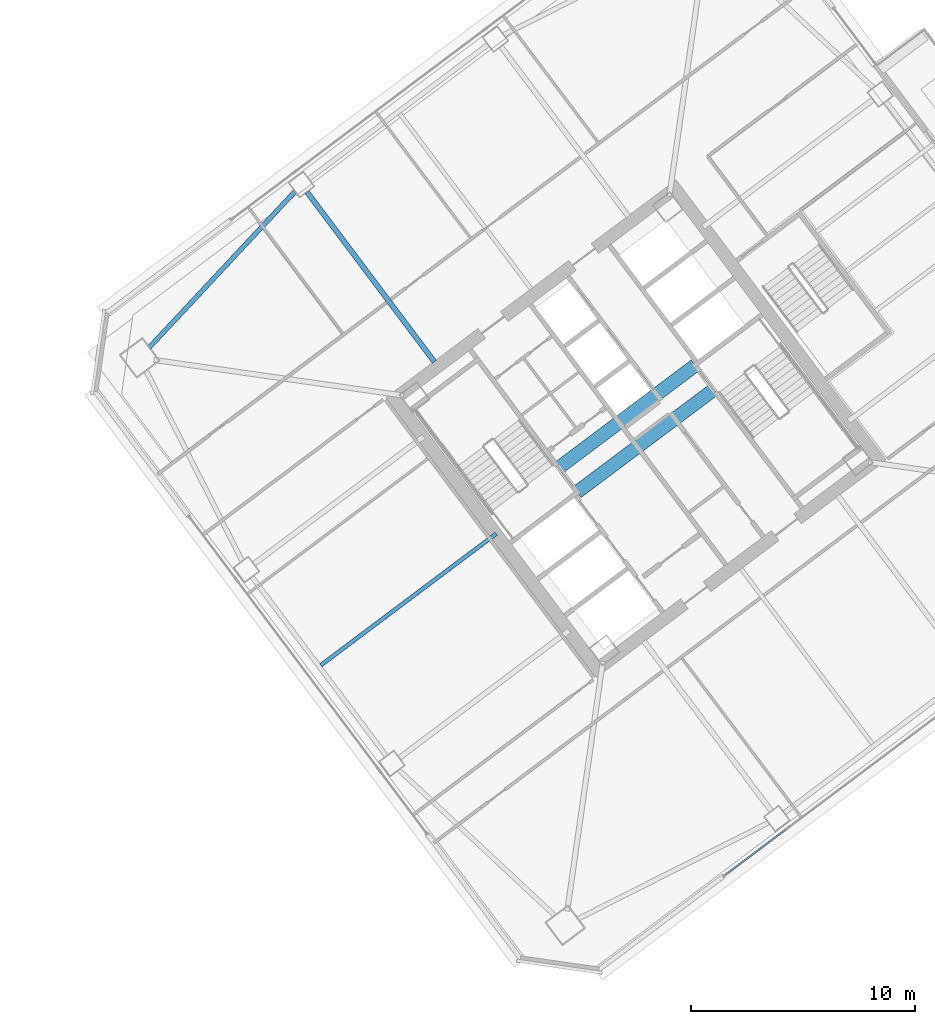
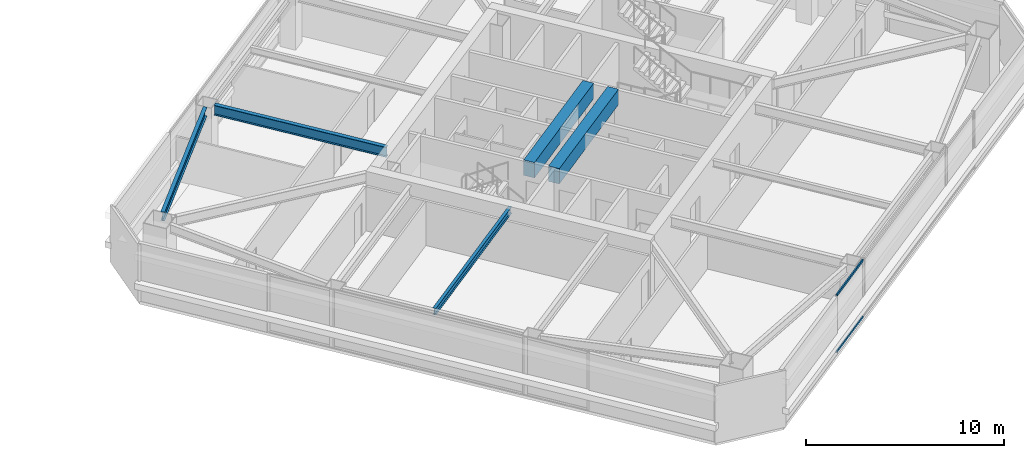
# One storey, part 21 of 41: 5 beams, 2 members, 1 element without a shape of its own.
"""IFC4 building model written with IfcOpenShell, lengths in metres."""

from ifc_helpers import new_model, si_unit, direction, frame, origin, origin_2d, place, context, subcontext, project, spatial, rectangle, hollow_rectangle, i_section, extrude, material, material_profile, profile_set, type_object, element, aggregate, save


model = new_model("IFC4")

# Units and contexts
model_context = context("Model", 3, precision=1e-05, world=origin(), true_north=direction((0.0, 1.0)))
body_context = subcontext(model_context, "Body", "Model", "MODEL_VIEW")
ifc_project = project(units=[si_unit("LENGTHUNIT", "METRE"), si_unit("AREAUNIT", "SQUARE_METRE"), si_unit("VOLUMEUNIT", "CUBIC_METRE"), si_unit("PLANEANGLEUNIT", "RADIAN"), si_unit("MASSUNIT", "GRAM", prefix="KILO")], contexts=[model_context])

# Site, building, storey
site_placement = place(None, origin())
site = spatial("IfcSite", under=ifc_project, at=site_placement, CompositionType="ELEMENT")
building_placement = place(site_placement, origin())
building = spatial("IfcBuilding", under=site, at=building_placement, Name="Tashvorn Skyway Center", CompositionType="ELEMENT")
storey_placement = place(building_placement, frame((0.0, 0.0, 146.35009765625)))
storey = spatial("IfcBuildingStorey", under=building, at=storey_placement, Name="L39", CompositionType="ELEMENT", Elevation=146.35009765625)

# Beams
ifc_material_1 = material(Name="Steel ASTM A992 Grade 50", Category="steel")
ifc_material_profile_1 = material_profile(ifc_material_1, i_section(OverallWidth=0.22998046875, OverallDepth=0.616943359375, WebThickness=0.01318359375, FlangeThickness=0.022216796875, at=origin_2d()), Name="W24X94")
ifc_profile_set_1 = profile_set([ifc_material_profile_1], Name="Steel ASTM A992 Grade 50")
beam_type_1 = type_object("IfcBeamType", Name="BM-BEAM-W24X94", PredefinedType="BEAM", material=ifc_profile_set_1)
beam_1_placement = place(storey_placement, frame((99.342041015625, 42.5439453125, 3.0615234375), z_axis=(0.599991732772, -0.800006200354, 0.0), x_axis=(0.800006200354, 0.599991732772, 0.0)))
element("IfcBeam", 1, at=beam_1_placement, inside=storey, type_object=beam_type_1, Name="Tower 2 L39 Primary Floor Girder FC-N2", PredefinedType="BEAM", context=body_context, shape_type="SweptSolid", body=[
    extrude(i_section(OverallWidth=0.22998046875, OverallDepth=0.616943359375, WebThickness=0.01318359375, FlangeThickness=0.022216796875, at=origin_2d()), origin(), (0.0, 0.0, 1.0), 9.449951171875),
])
ifc_material_profile_2 = material_profile(ifc_material_1, i_section(OverallWidth=0.177978515625, OverallDepth=0.406005859375, WebThickness=0.0078125, FlangeThickness=0.0126953125, at=origin_2d()), Name="W16X40")
ifc_profile_set_2 = profile_set([ifc_material_profile_2], Name="Steel ASTM A992 Grade 50")
beam_type_2 = type_object("IfcBeamType", Name="BM-JOIST-W16X40", PredefinedType="JOIST", material=ifc_profile_set_2)
beam_2_placement = place(storey_placement, frame((107.76806640625, 27.325927734375, 3.1669921875), z_axis=(-0.800006001881, -0.599991997409, 0.0), x_axis=(0.599991997409, -0.800006001881, 0.0)))
element("IfcBeam", 2, at=beam_2_placement, inside=storey, type_object=beam_type_2, Name="Tower 2 L39 Secondary Composite Joist JW", PredefinedType="JOIST", context=body_context, shape_type="SweptSolid", body=[
    extrude(i_section(OverallWidth=0.177978515625, OverallDepth=0.406005859375, WebThickness=0.0078125, FlangeThickness=0.0126953125, at=origin_2d()), origin(), (0.0, 0.0, 1.0), 9.762451171875),
])
ifc_material_2 = material(Name="Concrete C60/75", Category="concrete")
ifc_material_profile_3 = material_profile(ifc_material_2, rectangle(XDim=0.60009765625, YDim=0.949951171875, at=origin_2d()), Name="RCB600x950")
ifc_profile_set_3 = profile_set([ifc_material_profile_3], Name="Concrete C60/75")
beam_type_3 = type_object("IfcBeamType", Name="BM-LINTEL-RCB600x950", PredefinedType="LINTEL", material=ifc_profile_set_3)
for number, where, z_axis, x_axis, name in (
    (3, (110.552001953125, 30.263916015625, 2.89501953125), (0.8, 0.6, 0.0), (-0.6, 0.8, 0.0), "Tower 2 L39 Core Coupling Beam CN"),
    (4, (111.367919921875, 29.176025390625, 2.89501953125), (0.8, 0.6, 0.0), (-0.6, 0.8, 0.0), "Tower 2 L39 Core Coupling Beam CS"),
):
    element("IfcBeam", number, at=place(storey_placement, frame(where, z_axis=z_axis, x_axis=x_axis)), inside=storey, type_object=beam_type_3, Name=name, PredefinedType="LINTEL", context=body_context, shape_type="SweptSolid", body=[
        extrude(rectangle(XDim=0.60009765625, YDim=0.949951171875, at=origin_2d()), origin(), (0.0, 0.0, 1.0), 7.60009765625),
    ])
ifc_material_profile_4 = material_profile(ifc_material_1, i_section(OverallWidth=0.2109375, OverallDepth=0.5390625, WebThickness=0.01171875, FlangeThickness=0.018798828125, at=origin_2d()), Name="W21X73")
ifc_profile_set_4 = profile_set([ifc_material_profile_4], Name="Steel ASTM A992 Grade 50")
beam_type_4 = type_object("IfcBeamType", Name="BM-SPANDREL-W21X73", PredefinedType="SPANDREL", material=ifc_profile_set_4)
beam_3_placement = place(storey_placement, frame((98.80322265625, 42.572998046875, 3.100341796875), z_axis=(-0.682545341102, -0.730843250868, 0.0), x_axis=(0.730843250868, -0.682545341102, 0.0)))
element("IfcBeam", 5, at=beam_3_placement, inside=storey, type_object=beam_type_4, Name="Tower 2 L39 Spandrel Beam 09", PredefinedType="SPANDREL", context=body_context, shape_type="SweptSolid", body=[
    extrude(i_section(OverallWidth=0.2109375, OverallDepth=0.5390625, WebThickness=0.01171875, FlangeThickness=0.018798828125, at=origin_2d()), origin(), (0.0, 0.0, 1.0), 9.498046875),
])

# Curtain wall, members
ifc_material_3 = material(Name="Thermally broken bronze-anodized aluminium 6063-T6", Category="aluminium")
curtain_wall_type = type_object("IfcCurtainWallType", Name="CW-CW-Z3", PredefinedType="NOTDEFINED", material=ifc_material_3)
curtain_wall_placement = place(storey_placement, origin())
curtain_wall = element("IfcCurtainWall", 6, at=curtain_wall_placement, inside=storey, type_object=curtain_wall_type, Name="Tower 2 L39 South Unitised Curtain Wall Glazing Group 3", PredefinedType="NOTDEFINED")
ifc_material_profile_5 = material_profile(ifc_material_3, hollow_rectangle(XDim=0.074951171875, YDim=0.139892578125, WallThickness=0.004150390625, at=origin_2d()), Name="ALU-TRAN-75x140")
ifc_profile_set_5 = profile_set([ifc_material_profile_5], Name="Thermally broken bronze-anodized aluminium 6063-T6")
member_type = type_object("IfcMemberType", Name="CWT-CW-Z3", PredefinedType="USERDEFINED", material=ifc_profile_set_5)
member_1_placement = place(storey_placement, frame((120.67333984375, 14.155029296875, 0.037353515625), z_axis=(-0.8, -0.6, 0.0), x_axis=(0.6, -0.8, 0.0)))
member_1 = element("IfcMember", 7, at=member_1_placement, type_object=member_type, Name="CW-Z3 transom 1.1", ObjectType="TRANSOM", PredefinedType="USERDEFINED", context=body_context, shape_type="SweptSolid", body=[
    extrude(hollow_rectangle(XDim=0.074951171875, YDim=0.139892578125, WallThickness=0.004150390625, at=origin_2d()), origin(), (0.0, 0.0, 1.0), 3.37890625),
])
member_2_placement = place(storey_placement, frame((120.67333984375, 14.155029296875, 3.512451171875), z_axis=(-0.8, -0.6, 0.0), x_axis=(0.6, -0.8, 0.0)))
member_2 = element("IfcMember", 8, at=member_2_placement, type_object=member_type, Name="CW-Z3 transom 1.2", ObjectType="TRANSOM", PredefinedType="USERDEFINED", context=body_context, shape_type="SweptSolid", body=[
    extrude(hollow_rectangle(XDim=0.074951171875, YDim=0.139892578125, WallThickness=0.004150390625, at=origin_2d()), origin(), (0.0, 0.0, 1.0), 3.37890625),
])
aggregate(curtain_wall, [member_1, member_2])

save(model, "model.ifc")
